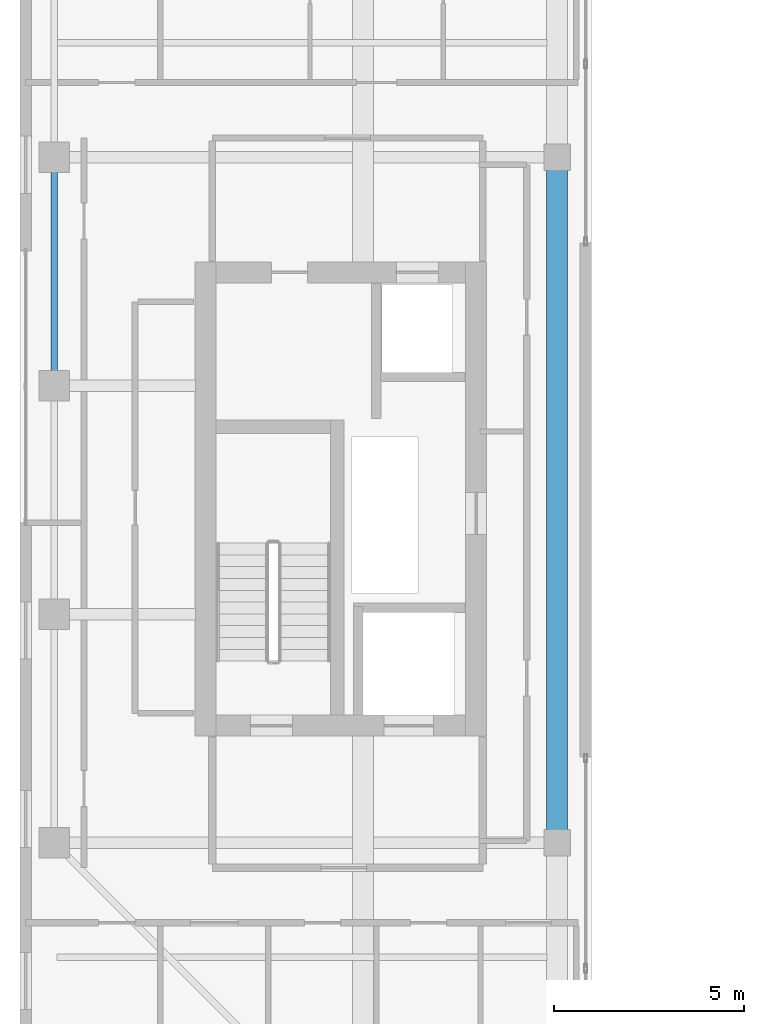
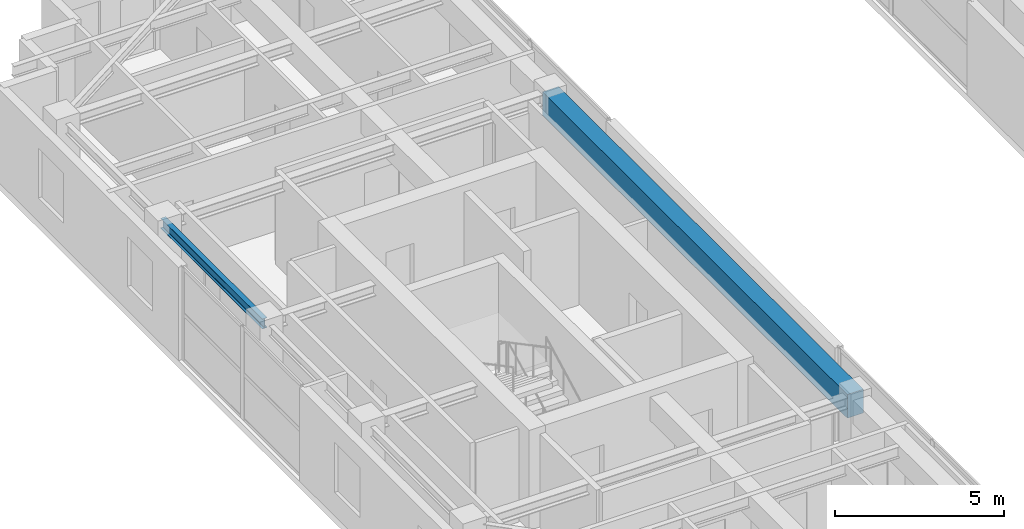
# One storey, part 6 of 22: 2 beams.
"""IFC4 building model written with IfcOpenShell, lengths in metres."""

from ifc_helpers import new_model, si_unit, direction, frame, origin, origin_2d, place, context, subcontext, project, spatial, rectangle, i_section, extrude, source, transform, mapped, material, material_profile, profile_set, type_object, element, save


model = new_model("IFC4")

# Units and contexts
model_context = context("Model", 3, precision=1e-05, world=origin(), true_north=direction((0.0, 1.0)))
body_context = subcontext(model_context, "Body", "Model", "MODEL_VIEW")
ifc_project = project(units=[si_unit("LENGTHUNIT", "METRE"), si_unit("AREAUNIT", "SQUARE_METRE"), si_unit("VOLUMEUNIT", "CUBIC_METRE"), si_unit("PLANEANGLEUNIT", "RADIAN"), si_unit("MASSUNIT", "GRAM", prefix="KILO")], contexts=[model_context])

# Site, building, storey
site_placement = place(None, origin())
site = spatial("IfcSite", under=ifc_project, at=site_placement, CompositionType="ELEMENT")
building_placement = place(site_placement, origin())
building = spatial("IfcBuilding", under=site, at=building_placement, Name="Khoralis Quay Care Tower", CompositionType="ELEMENT")
storey_placement = place(building_placement, frame((0.0, 0.0, 260.10009765625)))
storey = spatial("IfcBuildingStorey", under=building, at=storey_placement, Name="L68", CompositionType="ELEMENT", Elevation=260.10009765625)

# Beams
ifc_material_1 = material(Name="Steel S355", Category="steel")
ifc_material_profile_1 = material_profile(ifc_material_1, i_section(OverallWidth=0.169921875, OverallDepth=0.360107421875, WebThickness=0.008056640625, FlangeThickness=0.0126953125, FilletRadius=0.01806640625, at=origin_2d()), Name="Steel S355")
ifc_profile_set_1 = profile_set([ifc_material_profile_1], Name="Steel S355")
beam_type_1 = type_object("IfcBeamType", Name="BM-IPE360", PredefinedType="SPANDREL", material=ifc_profile_set_1)
shared_shape_1 = source(origin(), body_context, "Body", "SweptSolid", [
    extrude(i_section(OverallWidth=0.169921875, OverallDepth=0.360107421875, WebThickness=0.008056640625, FlangeThickness=0.0126953125, FilletRadius=0.01806640625, at=origin_2d()), origin(), (0.0, 0.0, 1.0), 6.0),
])
beam_1_placement = place(storey_placement, frame((3.89990234375, 24.0, 3.179931640625), z_axis=(0.0, 1.0, 0.0), x_axis=(-1.0, 0.0, 0.0)))
element("IfcBeam", 1, at=beam_1_placement, inside=storey, type_object=beam_type_1, Name="BM-TSP-L68-07", PredefinedType="SPANDREL", context=body_context, shape_type="MappedRepresentation", body=[
    mapped(shared_shape_1, transform((0.0, 0.0, 0.0), scale=1.0)),
])
ifc_material_2 = material(Name="Concrete C50/60", Category="concrete")
ifc_material_profile_2 = material_profile(ifc_material_2, rectangle(XDim=0.550048828125, YDim=0.85009765625, at=origin_2d()), Name="Concrete C50/60")
ifc_profile_set_2 = profile_set([ifc_material_profile_2], Name="Concrete C50/60")
beam_type_2 = type_object("IfcBeamType", Name="BM-RC550X850", PredefinedType="BEAM", material=ifc_profile_set_2)
shared_shape_2 = source(origin(), body_context, "Body", "SweptSolid", [
    extrude(rectangle(XDim=0.550048828125, YDim=0.85009765625, at=origin_2d()), origin(), (0.0, 0.0, 1.0), 18.0),
])
beam_2_placement = place(storey_placement, frame((17.10009765625, 12.0, 2.934814453125), z_axis=(0.0, 1.0, 0.0), x_axis=(-1.0, 0.0, 0.0)))
element("IfcBeam", 2, at=beam_2_placement, inside=storey, type_object=beam_type_2, Name="BM-TGSW-L68", PredefinedType="BEAM", context=body_context, shape_type="MappedRepresentation", body=[
    mapped(shared_shape_2, transform((0.0, 0.0, 0.0), scale=1.0)),
])

save(model, "model.ifc")
